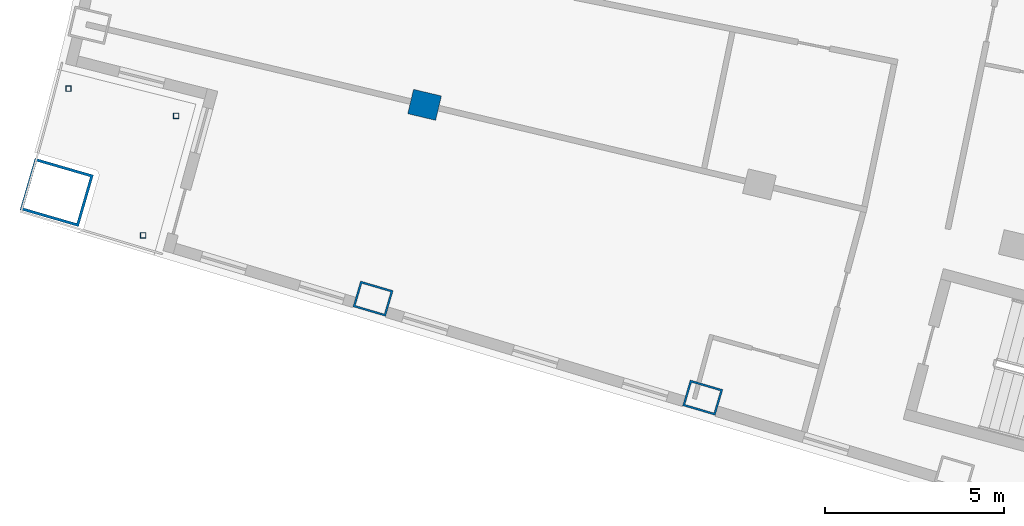
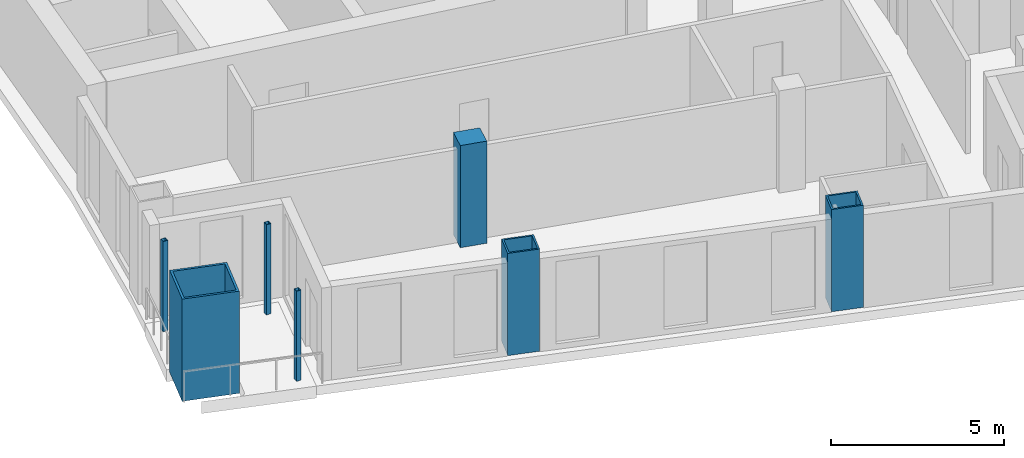
# One storey, part 1 of 17: 7 columns.
"""IFC4 building model written with IfcOpenShell, lengths in metres."""

import ifcopenshell
import ifcopenshell.guid

model = None  # the IFC model being written
_history = None  # IfcOwnerHistory: only IFC2X3 demands one
_inside = {}  # id of a spatial element -> (the spatial element, [elements in it])
_under = {}  # id of a project, library or spatial element -> (it, [spatial elements below it])
_declared = {}  # id of a project -> (the project, [libraries it declares])
_typed = {}  # id of a type object -> (the type object, [elements of that type])
_made_of = {}  # id of a material, layer set ... -> (it, [elements and type objects made of it])


def new_model(schema):
    """Start an empty IFC model of exactly this schema.

    Asked for "IFC4X3", IfcOpenShell would pick the latest addendum, in which some entities
    have other attributes; the version numbers below select the first issue.
    IFC2X3 requires an IfcOwnerHistory on every rooted entity: one is made here for all.
    """
    global model, _history
    if schema == "IFC4X3":
        model = ifcopenshell.file(schema_version=(4, 3, 0, 0))
    else:
        model = ifcopenshell.file(schema=schema)
    _inside.clear()
    _under.clear()
    _declared.clear()
    _typed.clear()
    _made_of.clear()
    _history = None
    if model.schema == "IFC2X3":
        org = make("IfcOrganization", Name="unknown")
        user = make(
            "IfcPersonAndOrganization",
            ThePerson=make("IfcPerson", FamilyName="unknown"),
            TheOrganization=org,
        )
        app = make(
            "IfcApplication",
            ApplicationDeveloper=org,
            Version="unknown",
            ApplicationFullName="unknown",
            ApplicationIdentifier="unknown",
        )
        _history = make(
            "IfcOwnerHistory",
            OwningUser=user,
            OwningApplication=app,
            ChangeAction="ADDED",
            CreationDate=0,
        )
    return model


def make(cls, **values):
    """One entity of the class cls with the attributes given. An attribute that is None is left unset."""
    return model.create_entity(
        cls, **{name: value for name, value in values.items() if value is not None}
    )


def rooted(cls, **values):
    """An entity with a GlobalId (a new one), such as an element, a storey or a relation."""
    return make(cls, GlobalId=ifcopenshell.guid.new(), OwnerHistory=_history, **values)


def si_unit(unit_type, name, prefix=None):
    """IfcSIUnit, for example si_unit("LENGTHUNIT", "METRE", prefix="MILLI")."""
    return make("IfcSIUnit", UnitType=unit_type, Prefix=prefix, Name=name)


def assignment(units):
    """IfcUnitAssignment: the units of a project."""
    return None if units is None else make("IfcUnitAssignment", Units=units)


def point(xyz):
    """IfcCartesianPoint."""
    return None if xyz is None else make("IfcCartesianPoint", Coordinates=xyz)


def direction(xyz):
    """IfcDirection."""
    return None if xyz is None else make("IfcDirection", DirectionRatios=xyz)


def frame(location, z_axis=None, x_axis=None):
    """IfcAxis2Placement3D, a coordinate frame: its origin and axes. An axis left out is left unset."""
    return make(
        "IfcAxis2Placement3D",
        Location=point(location),
        Axis=direction(z_axis),
        RefDirection=direction(x_axis),
    )


def frame_2d(location, x_axis=None):
    """IfcAxis2Placement2D, a coordinate frame in the plane: its origin and x axis."""
    return make(
        "IfcAxis2Placement2D", Location=point(location), RefDirection=direction(x_axis)
    )


def origin():
    """The frame at (0, 0, 0) with its axes left unset."""
    return frame((0.0, 0.0, 0.0))


def origin_2d():
    """The frame at (0, 0) in the plane with its x axis left unset."""
    return frame_2d((0.0, 0.0))


def place(relative_to, where):
    """IfcLocalPlacement: puts the frame where relative to a parent placement (None: the world)."""
    return make(
        "IfcLocalPlacement", PlacementRelTo=relative_to, RelativePlacement=where
    )


def context(
    kind, dimensions, precision=None, world=None, true_north=None, identifier=None
):
    """IfcGeometricRepresentationContext, for example the 3D "Model" context."""
    return make(
        "IfcGeometricRepresentationContext",
        ContextIdentifier=identifier,
        ContextType=kind,
        CoordinateSpaceDimension=dimensions,
        Precision=precision,
        WorldCoordinateSystem=world,
        TrueNorth=true_north,
    )


def subcontext(parent, identifier, kind, view, scale=None):
    """IfcGeometricRepresentationSubContext, for example "Body" below "Model"."""
    return make(
        "IfcGeometricRepresentationSubContext",
        ContextIdentifier=identifier,
        ContextType=kind,
        ParentContext=parent,
        TargetScale=scale,
        TargetView=view,
    )


def project(units=None, contexts=None):
    """IfcProject with its units and contexts."""
    return rooted(
        "IfcProject",
        Name="project",
        RepresentationContexts=contexts,
        UnitsInContext=assignment(units),
    )


def spatial(cls, under=None, at=None, **own):
    """A site, building, storey or space (cls), placed at a placement, below another one or the project."""
    s = rooted(cls, ObjectPlacement=at, **own)
    if under is not None:
        _under.setdefault(under.id(), (under, []))[1].append(s)
    return s


def profile(cls, at=None, kind="AREA", **sizes):
    """A parametric profile (cls). Its sizes go by their IFC names, for example OverallWidth=200.0."""
    return make(cls, ProfileType=kind, Position=at, **sizes)


def rectangle(**sizes):
    """IfcRectangleProfileDef."""
    return profile("IfcRectangleProfileDef", **sizes)


def hollow_rectangle(**sizes):
    """IfcRectangleHollowProfileDef."""
    return profile("IfcRectangleHollowProfileDef", **sizes)


def extrude(swept, where, along, depth):
    """IfcExtrudedAreaSolid: the profile swept, set in the frame where, extruded along a direction by depth."""
    return make(
        "IfcExtrudedAreaSolid",
        SweptArea=swept,
        Position=where,
        ExtrudedDirection=direction(along),
        Depth=depth,
    )


def shape(context_of_items, identifier, shape_type, items):
    """IfcShapeRepresentation: the items that make up one representation, for example the "Body"."""
    return make(
        "IfcShapeRepresentation",
        ContextOfItems=context_of_items,
        RepresentationIdentifier=identifier,
        RepresentationType=shape_type,
        Items=items,
    )


def material(Name=None, Category=None):
    """IfcMaterial."""
    return make("IfcMaterial", Name=Name, Category=Category)


def material_profile(
    of_material, cross_section, Name=None, Category=None, Priority=None
):
    """IfcMaterialProfile: a cross section and its material."""
    return make(
        "IfcMaterialProfile",
        Name=Name,
        Material=of_material,
        Profile=cross_section,
        Priority=Priority,
        Category=Category,
    )


def profile_set(profiles, Name=None, composite=None):
    """IfcMaterialProfileSet."""
    return make(
        "IfcMaterialProfileSet",
        Name=Name,
        MaterialProfiles=profiles,
        CompositeProfile=composite,
    )


def made_of(thing, what):
    """Note that an element or type object is made of a material, layer set ...; save() writes the relation."""
    if what is not None:
        _made_of.setdefault(what.id(), (what, []))[1].append(thing)
    return thing


def type_object(cls, material=None, **own):
    """A type object (cls), such as IfcWallType, which elements share."""
    return made_of(rooted(cls, **own), material)


def element(
    cls,
    number,
    at=None,
    inside=None,
    cuts=None,
    type_object=None,
    material=None,
    context=None,
    identifier="Body",
    shape_type=None,
    held_by="IfcProductDefinitionShape",
    body=None,
    shapes=None,
    **own,
):
    """One element of the class cls, such as IfcWall. Its Tag is "e" and its number.

    at: its placement. inside: the storey or other place that contains it. cuts: it is an
    opening in that element (IfcRelVoidsElement). A single representation is given by context,
    identifier, shape_type and body (its items); several are given by shapes. held_by: the class
    of the entity that holds the representations. save() writes the other relations.
    """
    e = rooted(cls, Tag="e%d" % number, ObjectPlacement=at, **own)
    if body is not None:
        shapes = [shape(context, identifier, shape_type, body)]
    if shapes is not None:
        e.Representation = make(held_by, Representations=shapes)
    if inside is not None:
        _inside.setdefault(inside.id(), (inside, []))[1].append(e)
    if cuts is not None:
        rooted(
            "IfcRelVoidsElement", RelatingBuildingElement=cuts, RelatedOpeningElement=e
        )
    if type_object is not None:
        _typed.setdefault(type_object.id(), (type_object, []))[1].append(e)
    return made_of(e, material)


def aggregate(whole, parts):
    """IfcRelAggregates: a whole, such as a stair, and the parts it consists of."""
    return rooted("IfcRelAggregates", RelatingObject=whole, RelatedObjects=parts)


def save(model, path):
    """Write the relations noted so far, then the file.

    IfcRelAggregates (storeys below a building ...), IfcRelContainedInSpatialStructure (elements
    in a storey), IfcRelDefinesByType, IfcRelAssociatesMaterial and IfcRelDeclares: one each for
    every whole, place, type object, material and project.
    """
    for whole, parts in _under.values():
        aggregate(whole, parts)
    for where, things in _inside.values():
        rooted(
            "IfcRelContainedInSpatialStructure",
            RelatedElements=things,
            RelatingStructure=where,
        )
    for kind, things in _typed.values():
        rooted("IfcRelDefinesByType", RelatedObjects=things, RelatingType=kind)
    for what, things in _made_of.values():
        rooted("IfcRelAssociatesMaterial", RelatedObjects=things, RelatingMaterial=what)
    for by, libraries in _declared.values():
        rooted("IfcRelDeclares", RelatingContext=by, RelatedDefinitions=libraries)
    model.write(path)


model = new_model("IFC4")

# Units and contexts
model_context = context("Model", 3, precision=1e-05, world=origin(), true_north=direction((0.0, 1.0)))
body_context = subcontext(model_context, "Body", "Model", "MODEL_VIEW")
ifc_project = project(units=[si_unit("LENGTHUNIT", "METRE"), si_unit("AREAUNIT", "SQUARE_METRE"), si_unit("VOLUMEUNIT", "CUBIC_METRE"), si_unit("PLANEANGLEUNIT", "RADIAN"), si_unit("MASSUNIT", "GRAM", prefix="KILO")], contexts=[model_context])

# Site, building, storey
site_placement = place(None, origin())
site = spatial("IfcSite", under=ifc_project, at=site_placement, CompositionType="ELEMENT")
building_placement = place(site_placement, origin())
building = spatial("IfcBuilding", under=site, at=building_placement, Name="Alderwake Tower", CompositionType="ELEMENT")
storey_placement = place(building_placement, frame((0.0, 0.0, 214.39990234375)))
storey = spatial("IfcBuildingStorey", under=building, at=storey_placement, Name="L53", CompositionType="ELEMENT", Elevation=214.39990234375)

# Columns
ifc_material_1 = material(Name="Steel ASTM A572 Grade 50 concrete filled C70/85", Category="concrete")
ifc_material_profile_1 = material_profile(ifc_material_1, hollow_rectangle(XDim=0.75, YDim=0.949951171875, WallThickness=0.054931640625, at=origin_2d()), Name="BOX 950X750X55")
ifc_profile_set_1 = profile_set([ifc_material_profile_1], Name="Steel ASTM A572 Grade 50 concrete filled C70/85")
column_type_1 = type_object("IfcColumnType", Name="End column Z4", PredefinedType="COLUMN", material=ifc_profile_set_1)
for number, where, z_axis, x_axis, name in (
    (1, (21.885498046875, 31.03759765625, 0.0), (0.0, 0.0, 1.0), (0.282132160283, 0.95937554906, 0.0), "Column R02-C1"),
    (2, (31.080322265625, 28.27685546875, 0.0), (0.0, 0.0, 1.0), (0.282582549822, 0.959242984095, 0.0), "Column R02-C2"),
):
    element("IfcColumn", number, at=place(storey_placement, frame(where, z_axis=z_axis, x_axis=x_axis)), inside=storey, type_object=column_type_1, Name=name, PredefinedType="COLUMN", context=body_context, shape_type="SweptSolid", body=[
        extrude(hollow_rectangle(XDim=0.75, YDim=0.949951171875, WallThickness=0.054931640625, at=origin_2d()), origin(), (0.0, 0.0, 1.0), 3.60009765625),
    ])
ifc_material_2 = material(Name="Concrete C70/85", Category="concrete")
ifc_material_profile_2 = material_profile(ifc_material_2, rectangle(XDim=0.699951171875, YDim=0.800048828125, at=origin_2d()), Name="RC 800X700")
ifc_profile_set_2 = profile_set([ifc_material_profile_2], Name="Concrete C70/85")
column_type_2 = type_object("IfcColumnType", Name="Interior column Z4", PredefinedType="COLUMN", material=ifc_profile_set_2)
column_1_placement = place(storey_placement, frame((23.322021484375, 36.444091796875, 0.0), z_axis=(0.0, 0.0, 1.0), x_axis=(0.231221547198, 0.972901123502, 0.0)))
element("IfcColumn", 3, at=column_1_placement, inside=storey, type_object=column_type_2, Name="Column R03-C1", PredefinedType="COLUMN", context=body_context, shape_type="SweptSolid", body=[
    extrude(rectangle(XDim=0.699951171875, YDim=0.800048828125, at=origin_2d()), origin(), (0.0, 0.0, 1.0), 3.60009765625),
])
ifc_material_3 = material(Name="Steel ASTM A500 Grade C", Category="steel")
ifc_material_profile_3 = material_profile(ifc_material_3, hollow_rectangle(XDim=0.15234375, YDim=0.15234375, WallThickness=0.0087890625, at=origin_2d()), Name="HSS6X6X3/8")
ifc_profile_set_3 = profile_set([ifc_material_profile_3], Name="Steel ASTM A500 Grade C")
column_type_3 = type_object("IfcColumnType", Name="Light post HSS6X6X3/8", PredefinedType="COLUMN", material=ifc_profile_set_3)
for number, where, z_axis, x_axis, name in (
    (4, (13.3896484375, 36.896484375, 0.0), (0.0, 0.0, 1.0), (1.0, 0.0, 0.0), "Terrace post RS1"),
    (5, (15.47412109375, 32.805908203125, 0.0), (0.0, 0.0, 1.0), (1.0, 0.0, 0.0), "Terrace post RS2"),
    (6, (16.39501953125, 36.135986328125, 0.0), (0.0, 0.0, 1.0), (1.0, 0.0, 0.0), "Terrace post RS3"),
):
    element("IfcColumn", number, at=place(storey_placement, frame(where, z_axis=z_axis, x_axis=x_axis)), inside=storey, type_object=column_type_3, Name=name, PredefinedType="COLUMN", context=body_context, shape_type="SweptSolid", body=[
        extrude(hollow_rectangle(XDim=0.15234375, YDim=0.15234375, WallThickness=0.0087890625, at=origin_2d()), origin(), (0.0, 0.0, 1.0), 3.18017578125),
    ])
ifc_material_4 = material(Name="Steel ASTM A572 Grade 50 concrete filled C70/85", Category="concrete")
ifc_material_profile_4 = material_profile(ifc_material_4, hollow_rectangle(XDim=1.5, YDim=1.699951171875, WallThickness=0.074951171875, at=origin_2d()), Name="BOX 1700X1500X75")
ifc_profile_set_4 = profile_set([ifc_material_profile_4], Name="Steel ASTM A572 Grade 50 concrete filled C70/85")
column_type_4 = type_object("IfcColumnType", Name="Mega column Z4", PredefinedType="COLUMN", material=ifc_profile_set_4)
column_2_placement = place(storey_placement, frame((13.06298828125, 34.00244140625, 0.0), z_axis=(0.0, 0.0, 1.0), x_axis=(0.278612301868, 0.960403657452, 0.0)))
element("IfcColumn", 7, at=column_2_placement, inside=storey, type_object=column_type_4, Name="Column R02-C0", PredefinedType="COLUMN", context=body_context, shape_type="SweptSolid", body=[
    extrude(hollow_rectangle(XDim=1.5, YDim=1.699951171875, WallThickness=0.074951171875, at=origin_2d()), origin(), (0.0, 0.0, 1.0), 3.60009765625),
])

save(model, "model.ifc")
